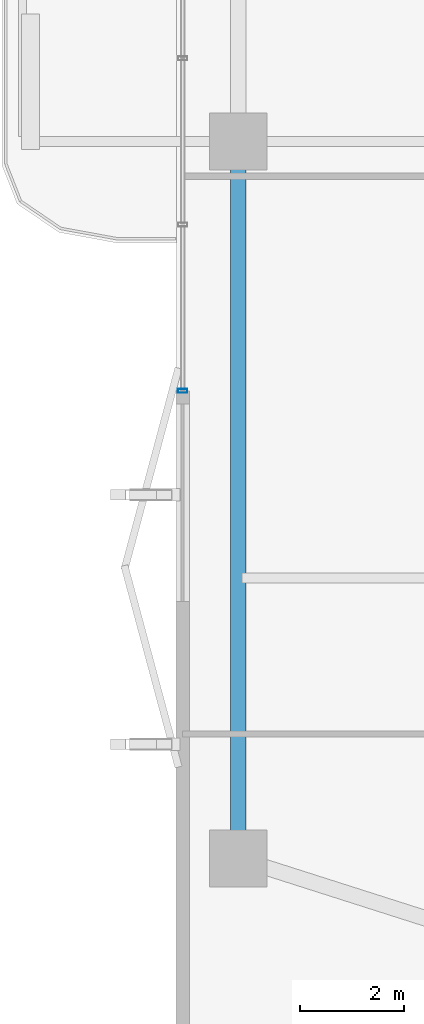
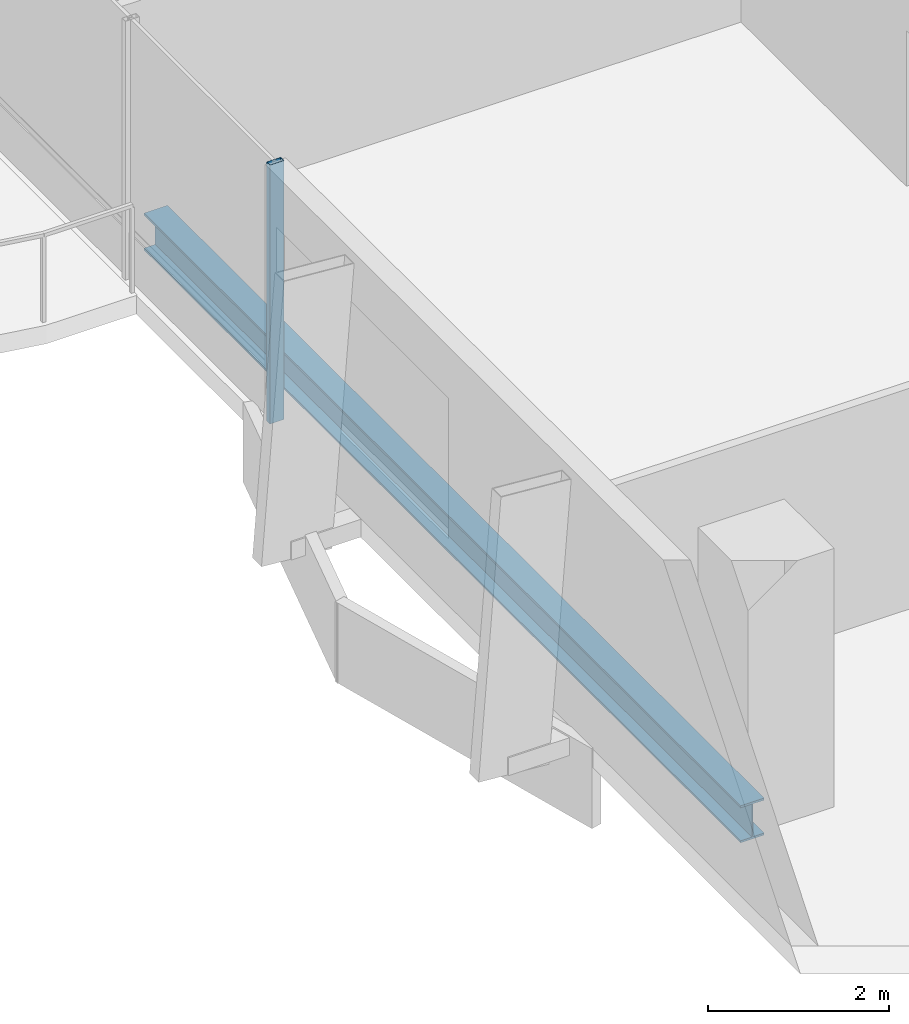
# One storey, part 4 of 25: 1 beam, 1 member, 1 element without a shape of its own.
"""IFC4 building model written with IfcOpenShell, lengths in metres."""

from ifc_helpers import new_model, si_unit, direction, frame, origin, origin_2d, place, context, subcontext, project, spatial, hollow_rectangle, i_section, extrude, material, layer, layer_set, material_profile, profile_set, type_object, element, aggregate, save


model = new_model("IFC4")

# Units and contexts
model_context = context("Model", 3, precision=1e-05, world=origin(), true_north=direction((0.0, 1.0)))
body_context = subcontext(model_context, "Body", "Model", "MODEL_VIEW")
ifc_project = project(units=[si_unit("LENGTHUNIT", "METRE"), si_unit("AREAUNIT", "SQUARE_METRE"), si_unit("VOLUMEUNIT", "CUBIC_METRE"), si_unit("PLANEANGLEUNIT", "RADIAN"), si_unit("MASSUNIT", "GRAM", prefix="KILO")], contexts=[model_context])

# Site, building, storey
site_placement = place(None, origin())
site = spatial("IfcSite", under=ifc_project, at=site_placement, CompositionType="ELEMENT")
building_placement = place(site_placement, origin())
building = spatial("IfcBuilding", under=site, at=building_placement, Name="Belovzor Exchange Tower", CompositionType="ELEMENT")
storey_placement = place(building_placement, frame((0.0, 0.0, 183.300048828125)))
storey = spatial("IfcBuildingStorey", under=building, at=storey_placement, Name="L45", CompositionType="ELEMENT", Elevation=183.300048828125)

# Curtain wall, member
ifc_material_1 = material(Name="Anodised Aluminium Framing", Category="aluminium")
ifc_layer = layer(ifc_material_1, 0.179931640625)
ifc_layer_set = layer_set([ifc_layer], Name="Anodised Aluminium Framing")
curtain_wall_type = type_object("IfcCurtainWallType", Name="Recessed Loggia Low-Iron Triple-Glazed Curtain Wall", PredefinedType="NOTDEFINED", material=ifc_layer_set)
curtain_wall_placement = place(storey_placement, origin())
curtain_wall = element("IfcCurtainWall", 1, at=curtain_wall_placement, inside=storey, type_object=curtain_wall_type, Name="CW3 Recessed Loggia Low-Iron Triple-Glazed Curtain Wall L45", PredefinedType="NOTDEFINED")
ifc_material_2 = material(Name="Steel S355", Category="steel")
ifc_material_profile_1 = material_profile(ifc_material_2, hollow_rectangle(XDim=0.074951171875, YDim=0.179931640625, WallThickness=0.0048828125, at=origin_2d()))
ifc_profile_set_1 = profile_set([ifc_material_profile_1], Name="Steel S355")
member_type = type_object("IfcMemberType", Name="Thermally Broken Curtain Wall Mullion 180x75", PredefinedType="MULLION", material=ifc_profile_set_1)
member_placement = place(storey_placement, frame((4.6298828125, 24.0, 0.0), z_axis=(0.0, 0.0, 1.0), x_axis=(0.0, 1.0, 0.0)))
member = element("IfcMember", 2, at=member_placement, type_object=member_type, Name="CW-M180 Curtain Wall Mullion 1", PredefinedType="MULLION", context=body_context, shape_type="SweptSolid", body=[
    extrude(hollow_rectangle(XDim=0.074951171875, YDim=0.179931640625, WallThickness=0.0048828125, at=origin_2d()), origin(), (0.0, 0.0, 1.0), 3.494873046875),
])
aggregate(curtain_wall, [member])

# Beam
ifc_material_3 = material(Name="Steel S355", Category="steel")
ifc_material_profile_2 = material_profile(ifc_material_3, i_section(OverallWidth=0.300048828125, OverallDepth=0.5, WebThickness=0.014404296875, FlangeThickness=0.028076171875, at=origin_2d()))
ifc_profile_set_2 = profile_set([ifc_material_profile_2], Name="Steel S355")
beam_type = type_object("IfcBeamType", Name="Zone 3 Waist Primary Girder HEB 500", PredefinedType="BEAM", material=ifc_profile_set_2)
beam_placement = place(storey_placement, frame((5.699951171875, 28.498046875, -0.505126953125), z_axis=(0.0, -1.0, 0.0), x_axis=(1.0, 0.0, 0.0)))
element("IfcBeam", 3, at=beam_placement, inside=storey, type_object=beam_type, Name="FG-Z3 Zone 3 Waist Primary Girder HEB 500", PredefinedType="BEAM", context=body_context, shape_type="SweptSolid", body=[
    extrude(i_section(OverallWidth=0.300048828125, OverallDepth=0.5, WebThickness=0.014404296875, FlangeThickness=0.028076171875, at=origin_2d()), origin(), (0.0, 0.0, 1.0), 13.195068359375),
])

save(model, "model.ifc")
